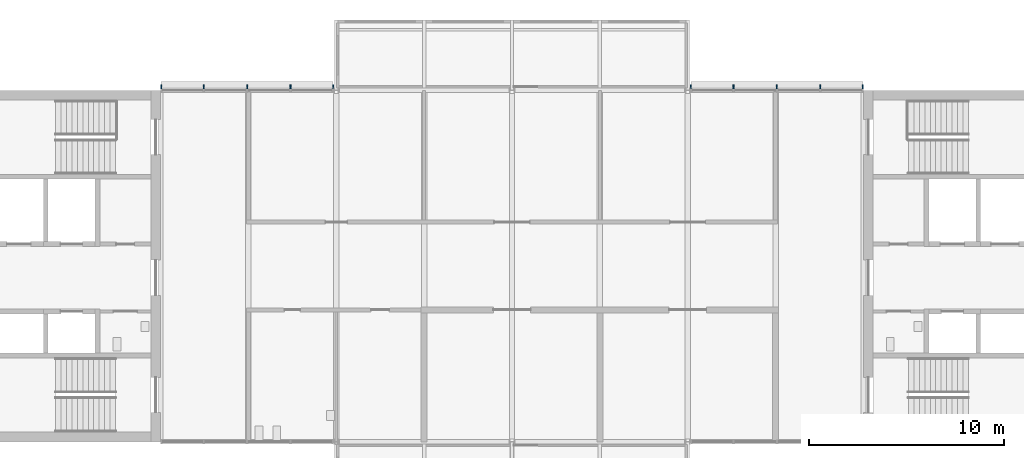
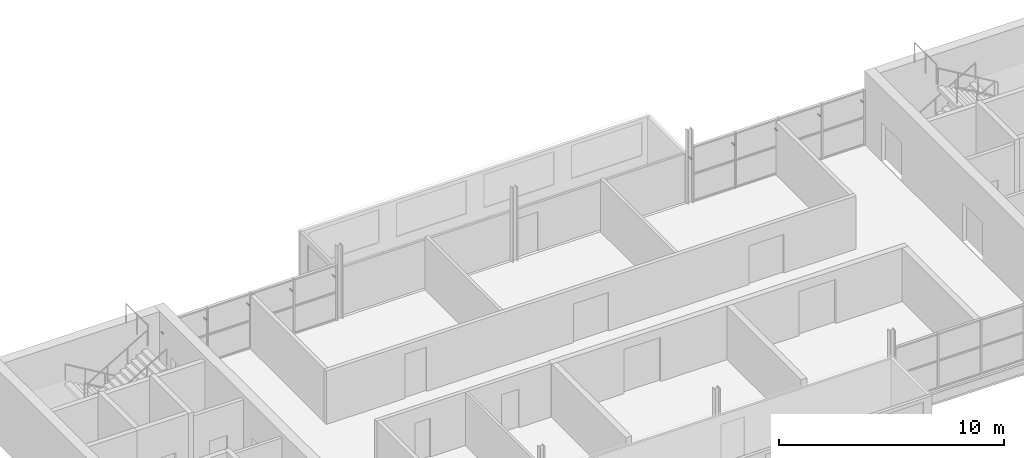
# One storey, part 8 of 10: 10 discrete accessories.
"""IFC4 building model written with IfcOpenShell, lengths in metres."""

from ifc_helpers import new_model, si_unit, direction, frame, origin, origin_2d, place, context, subcontext, project, spatial, rectangle, extrude, material, type_object, element, save


model = new_model("IFC4")

# Units and contexts
model_context = context("Model", 3, precision=1e-05, world=origin(), true_north=direction((0.0, 1.0)))
body_context = subcontext(model_context, "Body", "Model", "MODEL_VIEW")
ifc_project = project(units=[si_unit("LENGTHUNIT", "METRE"), si_unit("AREAUNIT", "SQUARE_METRE"), si_unit("VOLUMEUNIT", "CUBIC_METRE"), si_unit("PLANEANGLEUNIT", "RADIAN"), si_unit("MASSUNIT", "GRAM", prefix="KILO")], contexts=[model_context])

# Site, building, storey
site_placement = place(None, origin())
site = spatial("IfcSite", under=ifc_project, at=site_placement, CompositionType="ELEMENT")
building_placement = place(site_placement, origin())
building = spatial("IfcBuilding", under=site, at=building_placement, Name="Corbel Yard City Hall", CompositionType="ELEMENT")
storey_placement = place(building_placement, frame((0.0, 0.0, 67.199951171875)))
storey = spatial("IfcBuildingStorey", under=building, at=storey_placement, Name="L16", CompositionType="ELEMENT", Elevation=67.199951171875)

# Discrete accessories
ifc_material = material(Name="Steel Grade 300 (300 MPa yield)", Category="steel")
discrete_accessory_type = type_object("IfcDiscreteAccessoryType", Name="BK1", PredefinedType="BRACKET", material=ifc_material)
for number, where, z_axis, x_axis, name in (
    (1, (9.032470703125, 117.18994140625, 2.219970703125), (0.0, 0.0, 1.0), (1.0, 0.0, 0.0), "Louvre bracket"),
    (2, (11.217529296875, 117.18994140625, 2.219970703125), (0.0, 0.0, 1.0), (1.0, 0.0, 0.0), "Louvre bracket"),
    (3, (13.43505859375, 117.18994140625, 2.219970703125), (0.0, 0.0, 1.0), (1.0, 0.0, 0.0), "Louvre bracket"),
    (4, (15.652587890625, 117.18994140625, 2.219970703125), (0.0, 0.0, 1.0), (1.0, 0.0, 0.0), "Louvre bracket"),
    (5, (17.83740234375, 117.18994140625, 2.219970703125), (0.0, 0.0, 1.0), (1.0, 0.0, 0.0), "Louvre bracket"),
    (6, (36.16259765625, 117.18994140625, 2.219970703125), (0.0, 0.0, 1.0), (1.0, 0.0, 0.0), "Louvre bracket"),
    (7, (38.347412109375, 117.18994140625, 2.219970703125), (0.0, 0.0, 1.0), (1.0, 0.0, 0.0), "Louvre bracket"),
    (8, (40.56494140625, 117.18994140625, 2.219970703125), (0.0, 0.0, 1.0), (1.0, 0.0, 0.0), "Louvre bracket"),
    (9, (42.782470703125, 117.18994140625, 2.219970703125), (0.0, 0.0, 1.0), (1.0, 0.0, 0.0), "Louvre bracket"),
    (10, (44.967529296875, 117.18994140625, 2.219970703125), (0.0, 0.0, 1.0), (1.0, 0.0, 0.0), "Louvre bracket"),
):
    element("IfcDiscreteAccessory", number, at=place(storey_placement, frame(where, z_axis=z_axis, x_axis=x_axis)), inside=storey, type_object=discrete_accessory_type, Name=name, PredefinedType="BRACKET", context=body_context, shape_type="SweptSolid", body=[
        extrude(rectangle(XDim=0.06005859375, YDim=0.199951171875, at=origin_2d()), origin(), (0.0, 0.0, 1.0), 0.06005859375),
    ])

save(model, "model.ifc")
